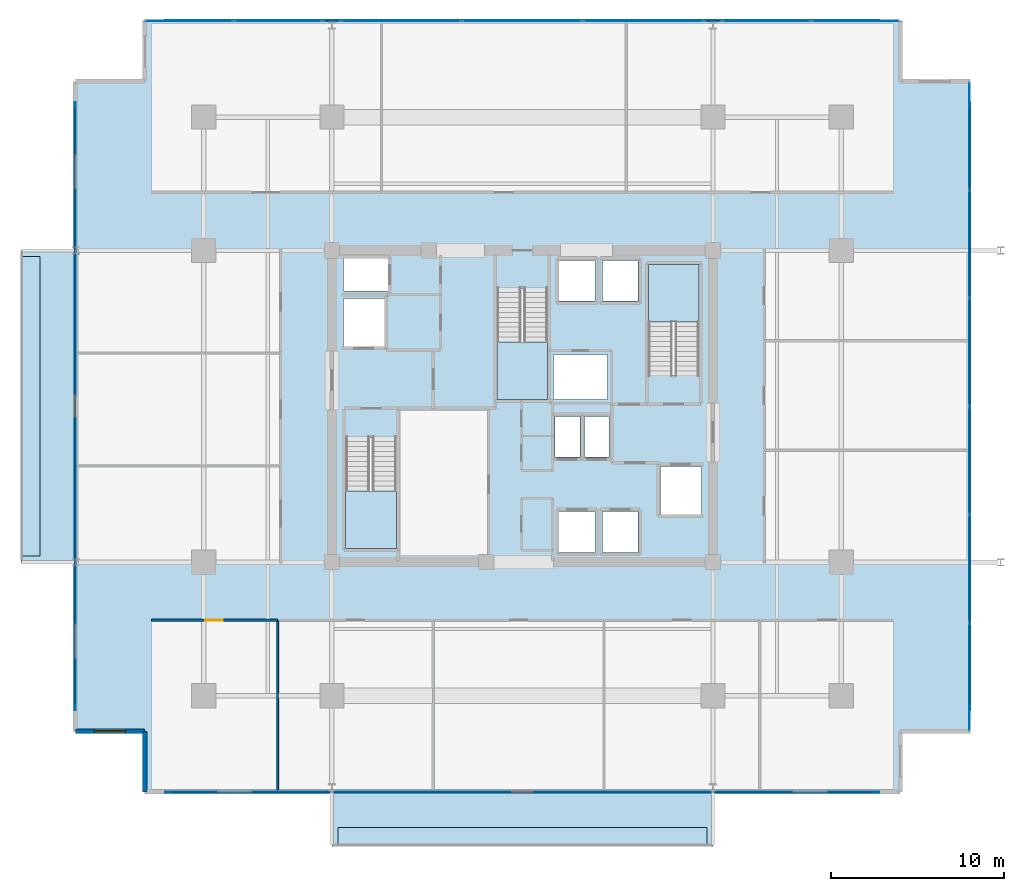
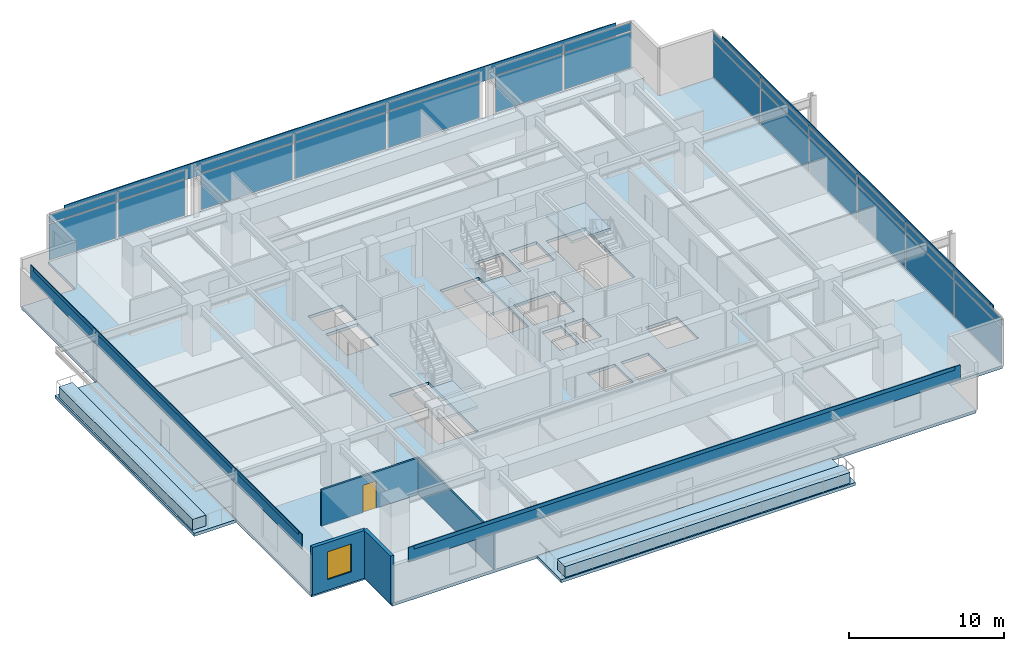
# One storey, part 13 of 22: 34 plates, 8 slabs, 4 walls, 1 door, 1 window, 2 openings, 7 elements without a shape of their own.
"""IFC4 building model written with IfcOpenShell, lengths in metres."""

from ifc_helpers import new_model, si_unit, direction, frame, frame_2d, origin, origin_2d, place, context, subcontext, project, spatial, polyline, rectangle, outline, extrude, material, layer, layer_set, type_object, element, fill, aggregate, save


model = new_model("IFC4")

# Units and contexts
model_context = context("Model", 3, precision=1e-05, world=origin(), true_north=direction((0.0, 1.0)))
body_context = subcontext(model_context, "Body", "Model", "MODEL_VIEW")
ifc_project = project(units=[si_unit("LENGTHUNIT", "METRE"), si_unit("AREAUNIT", "SQUARE_METRE"), si_unit("VOLUMEUNIT", "CUBIC_METRE"), si_unit("PLANEANGLEUNIT", "RADIAN"), si_unit("MASSUNIT", "GRAM", prefix="KILO")], contexts=[model_context])

# Site, building, storey
site_placement = place(None, origin())
site = spatial("IfcSite", under=ifc_project, at=site_placement, CompositionType="ELEMENT")
building_placement = place(site_placement, origin())
building = spatial("IfcBuilding", under=site, at=building_placement, Name="Kovane Verandah Tower", CompositionType="ELEMENT")
storey_placement = place(building_placement, frame((0.0, 0.0, 225.199951171875)))
storey = spatial("IfcBuildingStorey", under=building, at=storey_placement, Name="L52", CompositionType="ELEMENT", Elevation=225.199951171875)

# Curtain wall, plates
ifc_material_1 = material(Name="Champagne Anodised Aluminium Frame with Low-E Clear Laminated Glass", Category="aluminium")
curtain_wall_type = type_object("IfcCurtainWallType", Name="CW-SYS-03-MID", PredefinedType="NOTDEFINED", material=ifc_material_1)
curtain_wall_1_placement = place(storey_placement, origin())
curtain_wall_1 = element("IfcCurtainWall", 1, at=curtain_wall_1_placement, inside=storey, type_object=curtain_wall_type, Name="L52 E Unitised Curtain Wall", PredefinedType="NOTDEFINED")
ifc_material_2 = material(Name="Pale Champagne Anodised Aluminium Insulated Spandrel", Category="aluminium")
ifc_layer_1 = layer(ifc_material_2, 0.0400390625)
ifc_layer_set_1 = layer_set([ifc_layer_1], Name="Pale Champagne Anodised Aluminium Insulated Spandrel")
plate_type_1 = type_object("IfcPlateType", Name="PL-CW-SPD-40", PredefinedType="SHEET", material=ifc_layer_set_1)
plate_1_placement = place(storey_placement, frame((65.809814453125, 11.869873046875, 3.044921875), z_axis=(0.0, 0.0, 1.0), x_axis=(0.0, 1.0, 0.0)))
plate_1 = element("IfcPlate", 2, at=plate_1_placement, type_object=plate_type_1, Name="L52 E Unitised Curtain Wall Spandrel Panel 1", PredefinedType="SHEET", context=body_context, shape_type="SweptSolid", body=[
    extrude(rectangle(XDim=6.112060546875, YDim=0.0400390625, at=origin_2d()), origin(), (0.0, 0.0, 1.0), 0.639892578125),
])
plate_2_placement = place(storey_placement, frame((65.809814453125, 18.121826171875, 3.044921875), z_axis=(0.0, 0.0, 1.0), x_axis=(0.0, 1.0, 0.0)))
plate_2 = element("IfcPlate", 3, at=plate_2_placement, type_object=plate_type_1, Name="L52 E Unitised Curtain Wall Spandrel Panel 2", PredefinedType="SHEET", context=body_context, shape_type="SweptSolid", body=[
    extrude(rectangle(XDim=6.112060546875, YDim=0.0400390625, at=origin_2d()), origin(), (0.0, 0.0, 1.0), 0.639892578125),
])
plate_3_placement = place(storey_placement, frame((65.809814453125, 24.3740234375, 3.044921875), z_axis=(0.0, 0.0, 1.0), x_axis=(0.0, 1.0, 0.0)))
plate_3 = element("IfcPlate", 4, at=plate_3_placement, type_object=plate_type_1, Name="L52 E Unitised Curtain Wall Spandrel Panel 3", PredefinedType="SHEET", context=body_context, shape_type="SweptSolid", body=[
    extrude(rectangle(XDim=6.112060546875, YDim=0.0400390625, at=origin_2d()), origin(), (0.0, 0.0, 1.0), 0.639892578125),
])
plate_4_placement = place(storey_placement, frame((65.809814453125, 30.626220703125, 3.044921875), z_axis=(0.0, 0.0, 1.0), x_axis=(0.0, 1.0, 0.0)))
plate_4 = element("IfcPlate", 5, at=plate_4_placement, type_object=plate_type_1, Name="L52 E Unitised Curtain Wall Spandrel Panel 4", PredefinedType="SHEET", context=body_context, shape_type="SweptSolid", body=[
    extrude(rectangle(XDim=6.112060546875, YDim=0.0400390625, at=origin_2d()), origin(), (0.0, 0.0, 1.0), 0.639892578125),
])
plate_5_placement = place(storey_placement, frame((65.809814453125, 36.878173828125, 3.044921875), z_axis=(0.0, 0.0, 1.0), x_axis=(0.0, 1.0, 0.0)))
plate_5 = element("IfcPlate", 6, at=plate_5_placement, type_object=plate_type_1, Name="L52 E Unitised Curtain Wall Spandrel Panel 5", PredefinedType="SHEET", context=body_context, shape_type="SweptSolid", body=[
    extrude(rectangle(XDim=6.112060546875, YDim=0.0400390625, at=origin_2d()), origin(), (0.0, 0.0, 1.0), 0.639892578125),
])
plate_6_placement = place(storey_placement, frame((65.809814453125, 43.13037109375, 3.044921875), z_axis=(0.0, 0.0, 1.0), x_axis=(0.0, 1.0, 0.0)))
plate_6 = element("IfcPlate", 7, at=plate_6_placement, type_object=plate_type_1, Name="L52 E Unitised Curtain Wall Spandrel Panel 6", PredefinedType="SHEET", context=body_context, shape_type="SweptSolid", body=[
    extrude(rectangle(XDim=6.112060546875, YDim=0.0400390625, at=origin_2d()), origin(), (0.0, 0.0, 1.0), 0.639892578125),
])

curtain_wall_2_placement = place(storey_placement, origin())
curtain_wall_2 = element("IfcCurtainWall", 8, at=curtain_wall_2_placement, inside=storey, type_object=curtain_wall_type, Name="L52 N Unitised Curtain Wall-1", PredefinedType="NOTDEFINED")
plate_7_placement = place(storey_placement, frame((59.2373046875, 49.75634765625, 3.044921875), z_axis=(0.0, 0.0, 1.0), x_axis=(-1.0, 0.0, 0.0)))
plate_7 = element("IfcPlate", 9, at=plate_7_placement, type_object=plate_type_1, Name="L52 N Unitised Curtain Wall-1 Spandrel Panel 1", PredefinedType="SHEET", context=body_context, shape_type="SweptSolid", body=[
    extrude(rectangle(XDim=5.0048828125, YDim=0.0400390625, at=origin_2d()), origin(), (0.0, 0.0, 1.0), 0.639892578125),
])
plate_8_placement = place(storey_placement, frame((54.09228515625, 49.75634765625, 3.044921875), z_axis=(0.0, 0.0, 1.0), x_axis=(-1.0, 0.0, 0.0)))
plate_8 = element("IfcPlate", 10, at=plate_8_placement, type_object=plate_type_1, Name="L52 N Unitised Curtain Wall-1 Spandrel Panel 2", PredefinedType="SHEET", context=body_context, shape_type="SweptSolid", body=[
    extrude(rectangle(XDim=5.0048828125, YDim=0.0400390625, at=origin_2d()), origin(), (0.0, 0.0, 1.0), 0.639892578125),
])

curtain_wall_3_placement = place(storey_placement, origin())
curtain_wall_3 = element("IfcCurtainWall", 11, at=curtain_wall_3_placement, inside=storey, type_object=curtain_wall_type, Name="L52 N Unitised Curtain Wall-2", PredefinedType="NOTDEFINED")
plate_9_placement = place(storey_placement, frame((46.98681640625, 49.75634765625, 3.044921875), z_axis=(0.0, 0.0, 1.0), x_axis=(-1.0, 0.0, 0.0)))
plate_9 = element("IfcPlate", 12, at=plate_9_placement, type_object=plate_type_1, Name="L52 N Unitised Curtain Wall-2 Spandrel Panel 1", PredefinedType="SHEET", context=body_context, shape_type="SweptSolid", body=[
    extrude(rectangle(XDim=6.8466796875, YDim=0.0400390625, at=origin_2d()), origin(), (0.0, 0.0, 1.0), 0.639892578125),
])
plate_10_placement = place(storey_placement, frame((40.0, 49.75634765625, 3.044921875), z_axis=(0.0, 0.0, 1.0), x_axis=(-1.0, 0.0, 0.0)))
plate_10 = element("IfcPlate", 13, at=plate_10_placement, type_object=plate_type_1, Name="L52 N Unitised Curtain Wall-2 Spandrel Panel 2", PredefinedType="SHEET", context=body_context, shape_type="SweptSolid", body=[
    extrude(rectangle(XDim=6.8466796875, YDim=0.0400390625, at=origin_2d()), origin(), (0.0, 0.0, 1.0), 0.639892578125),
])
plate_11_placement = place(storey_placement, frame((33.01318359375, 49.75634765625, 3.044921875), z_axis=(0.0, 0.0, 1.0), x_axis=(-1.0, 0.0, 0.0)))
plate_11 = element("IfcPlate", 14, at=plate_11_placement, type_object=plate_type_1, Name="L52 N Unitised Curtain Wall-2 Spandrel Panel 3", PredefinedType="SHEET", context=body_context, shape_type="SweptSolid", body=[
    extrude(rectangle(XDim=6.8466796875, YDim=0.0400390625, at=origin_2d()), origin(), (0.0, 0.0, 1.0), 0.639892578125),
])

curtain_wall_4_placement = place(storey_placement, origin())
curtain_wall_4 = element("IfcCurtainWall", 15, at=curtain_wall_4_placement, inside=storey, type_object=curtain_wall_type, Name="L52 N Unitised Curtain Wall-3", PredefinedType="NOTDEFINED")
plate_12_placement = place(storey_placement, frame((25.90771484375, 49.75634765625, 3.044921875), z_axis=(0.0, 0.0, 1.0), x_axis=(-1.0, 0.0, 0.0)))
plate_12 = element("IfcPlate", 16, at=plate_12_placement, type_object=plate_type_1, Name="L52 N Unitised Curtain Wall-3 Spandrel Panel 1", PredefinedType="SHEET", context=body_context, shape_type="SweptSolid", body=[
    extrude(rectangle(XDim=5.0048828125, YDim=0.0400390625, at=origin_2d()), origin(), (0.0, 0.0, 1.0), 0.639892578125),
])
plate_13_placement = place(storey_placement, frame((20.7626953125, 49.75634765625, 3.044921875), z_axis=(0.0, 0.0, 1.0), x_axis=(-1.0, 0.0, 0.0)))
plate_13 = element("IfcPlate", 17, at=plate_13_placement, type_object=plate_type_1, Name="L52 N Unitised Curtain Wall-3 Spandrel Panel 2", PredefinedType="SHEET", context=body_context, shape_type="SweptSolid", body=[
    extrude(rectangle(XDim=5.0048828125, YDim=0.0400390625, at=origin_2d()), origin(), (0.0, 0.0, 1.0), 0.639892578125),
])

# Plate
ifc_material_3 = material(Name="Clear Low-E Laminated Double Glazing", Category="glass")
ifc_layer_2 = layer(ifc_material_3, 0.031982421875)
ifc_layer_set_2 = layer_set([ifc_layer_2], Name="Clear Low-E Laminated Double Glazing")
plate_type_2 = type_object("IfcPlateType", Name="PL-CW-VIS-32", PredefinedType="CURTAIN_PANEL", material=ifc_layer_set_2)
plate_14_placement = place(storey_placement, frame((65.809814453125, 11.869873046875, 0.10009765625), z_axis=(0.0, 0.0, 1.0), x_axis=(0.0, 1.0, 0.0)))
plate_14 = element("IfcPlate", 18, at=plate_14_placement, type_object=plate_type_2, Name="L52 E Unitised Curtain Wall Vision Panel 1", PredefinedType="CURTAIN_PANEL", context=body_context, shape_type="SweptSolid", body=[
    extrude(rectangle(XDim=6.112060546875, YDim=0.031982421875, at=origin_2d()), origin(), (0.0, 0.0, 1.0), 2.844970703125),
])

plate_15_placement = place(storey_placement, frame((65.809814453125, 18.121826171875, 0.10009765625), z_axis=(0.0, 0.0, 1.0), x_axis=(0.0, 1.0, 0.0)))
plate_15 = element("IfcPlate", 19, at=plate_15_placement, type_object=plate_type_2, Name="L52 E Unitised Curtain Wall Vision Panel 2", PredefinedType="CURTAIN_PANEL", context=body_context, shape_type="SweptSolid", body=[
    extrude(rectangle(XDim=6.112060546875, YDim=0.031982421875, at=origin_2d()), origin(), (0.0, 0.0, 1.0), 2.844970703125),
])

plate_16_placement = place(storey_placement, frame((65.809814453125, 24.3740234375, 0.10009765625), z_axis=(0.0, 0.0, 1.0), x_axis=(0.0, 1.0, 0.0)))
plate_16 = element("IfcPlate", 20, at=plate_16_placement, type_object=plate_type_2, Name="L52 E Unitised Curtain Wall Vision Panel 3", PredefinedType="CURTAIN_PANEL", context=body_context, shape_type="SweptSolid", body=[
    extrude(rectangle(XDim=6.112060546875, YDim=0.031982421875, at=origin_2d()), origin(), (0.0, 0.0, 1.0), 2.844970703125),
])

plate_17_placement = place(storey_placement, frame((65.809814453125, 30.626220703125, 0.10009765625), z_axis=(0.0, 0.0, 1.0), x_axis=(0.0, 1.0, 0.0)))
plate_17 = element("IfcPlate", 21, at=plate_17_placement, type_object=plate_type_2, Name="L52 E Unitised Curtain Wall Vision Panel 4", PredefinedType="CURTAIN_PANEL", context=body_context, shape_type="SweptSolid", body=[
    extrude(rectangle(XDim=6.112060546875, YDim=0.031982421875, at=origin_2d()), origin(), (0.0, 0.0, 1.0), 2.844970703125),
])

plate_18_placement = place(storey_placement, frame((65.809814453125, 36.878173828125, 0.10009765625), z_axis=(0.0, 0.0, 1.0), x_axis=(0.0, 1.0, 0.0)))
plate_18 = element("IfcPlate", 22, at=plate_18_placement, type_object=plate_type_2, Name="L52 E Unitised Curtain Wall Vision Panel 5", PredefinedType="CURTAIN_PANEL", context=body_context, shape_type="SweptSolid", body=[
    extrude(rectangle(XDim=6.112060546875, YDim=0.031982421875, at=origin_2d()), origin(), (0.0, 0.0, 1.0), 2.844970703125),
])

plate_19_placement = place(storey_placement, frame((65.809814453125, 43.13037109375, 0.10009765625), z_axis=(0.0, 0.0, 1.0), x_axis=(0.0, 1.0, 0.0)))
plate_19 = element("IfcPlate", 23, at=plate_19_placement, type_object=plate_type_2, Name="L52 E Unitised Curtain Wall Vision Panel 6", PredefinedType="CURTAIN_PANEL", context=body_context, shape_type="SweptSolid", body=[
    extrude(rectangle(XDim=6.112060546875, YDim=0.031982421875, at=origin_2d()), origin(), (0.0, 0.0, 1.0), 2.844970703125),
])

aggregate(curtain_wall_1, [plate_14, plate_1, plate_15, plate_2, plate_16, plate_3, plate_17, plate_4, plate_18, plate_5, plate_19, plate_6])

plate_20_placement = place(storey_placement, frame((59.2373046875, 49.75634765625, 0.10009765625), z_axis=(0.0, 0.0, 1.0), x_axis=(-1.0, 0.0, 0.0)))
plate_20 = element("IfcPlate", 24, at=plate_20_placement, type_object=plate_type_2, Name="L52 N Unitised Curtain Wall-1 Vision Panel 1", PredefinedType="CURTAIN_PANEL", context=body_context, shape_type="SweptSolid", body=[
    extrude(rectangle(XDim=5.0048828125, YDim=0.031982421875, at=origin_2d()), origin(), (0.0, 0.0, 1.0), 2.844970703125),
])

plate_21_placement = place(storey_placement, frame((54.09228515625, 49.75634765625, 0.10009765625), z_axis=(0.0, 0.0, 1.0), x_axis=(-1.0, 0.0, 0.0)))
plate_21 = element("IfcPlate", 25, at=plate_21_placement, type_object=plate_type_2, Name="L52 N Unitised Curtain Wall-1 Vision Panel 2", PredefinedType="CURTAIN_PANEL", context=body_context, shape_type="SweptSolid", body=[
    extrude(rectangle(XDim=5.0048828125, YDim=0.031982421875, at=origin_2d()), origin(), (0.0, 0.0, 1.0), 2.844970703125),
])

aggregate(curtain_wall_2, [plate_20, plate_7, plate_21, plate_8])

plate_22_placement = place(storey_placement, frame((46.98681640625, 49.75634765625, 0.10009765625), z_axis=(0.0, 0.0, 1.0), x_axis=(-1.0, 0.0, 0.0)))
plate_22 = element("IfcPlate", 26, at=plate_22_placement, type_object=plate_type_2, Name="L52 N Unitised Curtain Wall-2 Vision Panel 1", PredefinedType="CURTAIN_PANEL", context=body_context, shape_type="SweptSolid", body=[
    extrude(rectangle(XDim=6.8466796875, YDim=0.031982421875, at=origin_2d()), origin(), (0.0, 0.0, 1.0), 2.844970703125),
])

plate_23_placement = place(storey_placement, frame((40.0, 49.75634765625, 0.10009765625), z_axis=(0.0, 0.0, 1.0), x_axis=(-1.0, 0.0, 0.0)))
plate_23 = element("IfcPlate", 27, at=plate_23_placement, type_object=plate_type_2, Name="L52 N Unitised Curtain Wall-2 Vision Panel 2", PredefinedType="CURTAIN_PANEL", context=body_context, shape_type="SweptSolid", body=[
    extrude(rectangle(XDim=6.8466796875, YDim=0.031982421875, at=origin_2d()), origin(), (0.0, 0.0, 1.0), 2.844970703125),
])

plate_24_placement = place(storey_placement, frame((33.01318359375, 49.75634765625, 0.10009765625), z_axis=(0.0, 0.0, 1.0), x_axis=(-1.0, 0.0, 0.0)))
plate_24 = element("IfcPlate", 28, at=plate_24_placement, type_object=plate_type_2, Name="L52 N Unitised Curtain Wall-2 Vision Panel 3", PredefinedType="CURTAIN_PANEL", context=body_context, shape_type="SweptSolid", body=[
    extrude(rectangle(XDim=6.8466796875, YDim=0.031982421875, at=origin_2d()), origin(), (0.0, 0.0, 1.0), 2.844970703125),
])

aggregate(curtain_wall_3, [plate_22, plate_9, plate_23, plate_10, plate_24, plate_11])

plate_25_placement = place(storey_placement, frame((25.90771484375, 49.75634765625, 0.10009765625), z_axis=(0.0, 0.0, 1.0), x_axis=(-1.0, 0.0, 0.0)))
plate_25 = element("IfcPlate", 29, at=plate_25_placement, type_object=plate_type_2, Name="L52 N Unitised Curtain Wall-3 Vision Panel 1", PredefinedType="CURTAIN_PANEL", context=body_context, shape_type="SweptSolid", body=[
    extrude(rectangle(XDim=5.0048828125, YDim=0.031982421875, at=origin_2d()), origin(), (0.0, 0.0, 1.0), 2.844970703125),
])

plate_26_placement = place(storey_placement, frame((20.7626953125, 49.75634765625, 0.10009765625), z_axis=(0.0, 0.0, 1.0), x_axis=(-1.0, 0.0, 0.0)))
plate_26 = element("IfcPlate", 30, at=plate_26_placement, type_object=plate_type_2, Name="L52 N Unitised Curtain Wall-3 Vision Panel 2", PredefinedType="CURTAIN_PANEL", context=body_context, shape_type="SweptSolid", body=[
    extrude(rectangle(XDim=5.0048828125, YDim=0.031982421875, at=origin_2d()), origin(), (0.0, 0.0, 1.0), 2.844970703125),
])

aggregate(curtain_wall_4, [plate_25, plate_12, plate_26, plate_13])

# Plates
ifc_material_4 = material(Name="Perforated Pale Champagne Anodised Aluminium Solar Screen", Category="aluminium")
ifc_layer_3 = layer(ifc_material_4, 0.050048828125)
ifc_layer_set_3 = layer_set([ifc_layer_3], Name="Perforated Pale Champagne Anodised Aluminium Solar Screen")
plate_type_3 = type_object("IfcPlateType", Name="PL-SCREEN-50", PredefinedType="USERDEFINED", material=ifc_layer_set_3)
plate_27_placement = place(storey_placement, frame((40.0, 5.228759765625, 2.875), z_axis=(0.0, 0.0, 1.0), x_axis=(1.0, 0.0, 0.0)))
element("IfcPlate", 31, at=plate_27_placement, inside=storey, type_object=plate_type_3, Name="L52 S Perforated Champagne-Gold Solar Screen", ObjectType="SCREEN", PredefinedType="USERDEFINED", context=body_context, shape_type="SweptSolid", body=[
    extrude(rectangle(XDim=41.218994140625, YDim=0.050048828125, at=origin_2d()), origin(), (0.0, 0.0, 1.0), 1.14990234375),
])
plate_28_placement = place(storey_placement, frame((65.82470703125, 27.5, 2.875), z_axis=(0.0, 0.0, 1.0), x_axis=(0.0, 1.0, 0.0)))
element("IfcPlate", 32, at=plate_28_placement, inside=storey, type_object=plate_type_3, Name="L52 E Perforated Champagne-Gold Solar Screen", ObjectType="SCREEN", PredefinedType="USERDEFINED", context=body_context, shape_type="SweptSolid", body=[
    extrude(rectangle(XDim=35.113037109375, YDim=0.050048828125, at=origin_2d()), origin(), (0.0, 0.0, 1.0), 1.14990234375),
])
plate_29_placement = place(storey_placement, frame((40.0, 49.771240234375, 2.875), z_axis=(0.0, 0.0, 1.0), x_axis=(-1.0, 0.0, 0.0)))
element("IfcPlate", 33, at=plate_29_placement, inside=storey, type_object=plate_type_3, Name="L52 N Perforated Champagne-Gold Solar Screen", ObjectType="SCREEN", PredefinedType="USERDEFINED", context=body_context, shape_type="SweptSolid", body=[
    extrude(rectangle(XDim=41.218994140625, YDim=0.050048828125, at=origin_2d()), origin(), (0.0, 0.0, 1.0), 1.14990234375),
])
plate_30_placement = place(storey_placement, frame((14.17529296875, 27.5, 2.875), z_axis=(0.0, 0.0, 1.0), x_axis=(0.0, -1.0, 0.0)))
element("IfcPlate", 34, at=plate_30_placement, inside=storey, type_object=plate_type_3, Name="L52 W Perforated Champagne-Gold Solar Screen", ObjectType="SCREEN", PredefinedType="USERDEFINED", context=body_context, shape_type="SweptSolid", body=[
    extrude(rectangle(XDim=35.113037109375, YDim=0.050048828125, at=origin_2d()), origin(), (0.0, 0.0, 1.0), 1.14990234375),
])
ifc_material_5 = material(Name="Extruded Pale-Bronze Aluminium Aerofoil Sunshade", Category="aluminium")
ifc_layer_4 = layer(ifc_material_5, 0.06005859375)
ifc_layer_set_4 = layer_set([ifc_layer_4], Name="Extruded Pale-Bronze Aluminium Aerofoil Sunshade")
plate_type_4 = type_object("IfcPlateType", Name="PL-SUNSHADE-60", PredefinedType="USERDEFINED", material=ifc_layer_set_4)
plate_31_placement = place(storey_placement, frame((40.0, 5.2236328125, 3.7548828125), z_axis=(0.0, 0.0, 1.0), x_axis=(1.0, 0.0, 0.0)))
element("IfcPlate", 35, at=plate_31_placement, inside=storey, type_object=plate_type_4, Name="L52 S Subtropical Aerofoil Sunshade", ObjectType="SUNSHADE", PredefinedType="USERDEFINED", context=body_context, shape_type="SweptSolid", body=[
    extrude(rectangle(XDim=40.4189453125, YDim=0.06005859375, at=origin_2d()), origin(), (0.0, 0.0, 1.0), 0.280029296875),
])
plate_32_placement = place(storey_placement, frame((65.82958984375, 27.5, 3.7548828125), z_axis=(0.0, 0.0, 1.0), x_axis=(0.0, 1.0, 0.0)))
element("IfcPlate", 36, at=plate_32_placement, inside=storey, type_object=plate_type_4, Name="L52 E Subtropical Aerofoil Sunshade", ObjectType="SUNSHADE", PredefinedType="USERDEFINED", context=body_context, shape_type="SweptSolid", body=[
    extrude(rectangle(XDim=34.31298828125, YDim=0.06005859375, at=origin_2d()), origin(), (0.0, 0.0, 1.0), 0.280029296875),
])
plate_33_placement = place(storey_placement, frame((40.0, 49.7763671875, 3.7548828125), z_axis=(0.0, 0.0, 1.0), x_axis=(-1.0, 0.0, 0.0)))
element("IfcPlate", 37, at=plate_33_placement, inside=storey, type_object=plate_type_4, Name="L52 N Subtropical Aerofoil Sunshade", ObjectType="SUNSHADE", PredefinedType="USERDEFINED", context=body_context, shape_type="SweptSolid", body=[
    extrude(rectangle(XDim=40.4189453125, YDim=0.06005859375, at=origin_2d()), origin(), (0.0, 0.0, 1.0), 0.280029296875),
])
plate_34_placement = place(storey_placement, frame((14.17041015625, 27.5, 3.7548828125), z_axis=(0.0, 0.0, 1.0), x_axis=(0.0, -1.0, 0.0)))
element("IfcPlate", 38, at=plate_34_placement, inside=storey, type_object=plate_type_4, Name="L52 W Subtropical Aerofoil Sunshade", ObjectType="SUNSHADE", PredefinedType="USERDEFINED", context=body_context, shape_type="SweptSolid", body=[
    extrude(rectangle(XDim=34.31298828125, YDim=0.06005859375, at=origin_2d()), origin(), (0.0, 0.0, 1.0), 0.280029296875),
])

# Slabs
ifc_material_6 = material(Name="Concrete C45/55", Category="concrete")
ifc_layer_5 = layer(ifc_material_6, 0.239990234375)
ifc_layer_set_5 = layer_set([ifc_layer_5], Name="Concrete C45/55")
slab_type_1 = type_object("IfcSlabType", Name="SL-BALC-240", PredefinedType="FLOOR", material=ifc_layer_set_5)
slab_1_placement = place(storey_placement, frame((0.0, 0.0, -0.239990234375)))
element("IfcSlab", 39, at=slab_1_placement, inside=storey, type_object=slab_type_1, Name="L52 S Planted Verandah Balcony Slab", PredefinedType="FLOOR", context=body_context, shape_type="SweptSolid", body=[
    extrude(outline(polyline([(29.0, 2.09375), (51.0, 2.09375), (51.0, 5.24365234375), (29.0, 5.24365234375), (29.0, 2.09375)])), origin(), (0.0, 0.0, 1.0), 0.239990234375),
])
slab_2_placement = place(storey_placement, frame((0.0, 0.0, -0.239990234375)))
element("IfcSlab", 40, at=slab_2_placement, inside=storey, type_object=slab_type_1, Name="L52 W Planted Verandah Balcony Slab", PredefinedType="FLOOR", context=body_context, shape_type="SweptSolid", body=[
    extrude(outline(polyline([(11.040283203125, 18.5), (14.190185546875, 18.5), (14.190185546875, 36.5), (11.040283203125, 36.5), (11.040283203125, 18.5)])), origin(), (0.0, 0.0, 1.0), 0.239990234375),
])

# Stair, slab
stair_type = type_object("IfcStairType", Name="ST-CORE-1380", PredefinedType="HALF_TURN_STAIR", material=ifc_material_6)
stair_1_placement = place(storey_placement, origin())
stair_1 = element("IfcStair", 41, at=stair_1_placement, inside=storey, type_object=stair_type, Name="L52 Exit Stair ST-01", PredefinedType="HALF_TURN_STAIR")
ifc_layer_6 = layer(ifc_material_6, 0.199951171875)
ifc_layer_set_6 = layer_set([ifc_layer_6], Name="Concrete C45/55")
slab_type_2 = type_object("IfcSlabType", Name="SL-LAND-200", PredefinedType="LANDING", material=ifc_layer_set_6)
slab_3_placement = place(storey_placement, frame((0.0, 0.0, 1.800048828125)))
slab_3 = element("IfcSlab", 42, at=slab_3_placement, type_object=slab_type_2, Name="ST-01 landing 1", PredefinedType="LANDING", context=body_context, shape_type="SweptSolid", body=[
    extrude(outline(polyline([(29.800048828125, 22.614990234375), (29.800048828125, 19.300048828125), (32.719970703125, 19.300048828125), (32.719970703125, 22.614990234375), (29.800048828125, 22.614990234375)])), origin(), (0.0, 0.0, 1.0), 0.199951171875),
])
aggregate(stair_1, [slab_3])

stair_2_placement = place(storey_placement, origin())
stair_2 = element("IfcStair", 43, at=stair_2_placement, inside=storey, type_object=stair_type, Name="L52 Exit Stair ST-02", PredefinedType="HALF_TURN_STAIR")
slab_4_placement = place(storey_placement, frame((0.0, 0.0, 1.800048828125)))
slab_4 = element("IfcSlab", 44, at=slab_4_placement, type_object=slab_type_2, Name="ST-02 landing 1", PredefinedType="LANDING", context=body_context, shape_type="SweptSolid", body=[
    extrude(outline(polyline([(50.199951171875, 32.385009765625), (50.199951171875, 35.699951171875), (47.280029296875, 35.699951171875), (47.280029296875, 32.385009765625), (50.199951171875, 32.385009765625)])), origin(), (0.0, 0.0, 1.0), 0.199951171875),
])
aggregate(stair_2, [slab_4])

stair_3_placement = place(storey_placement, origin())
stair_3 = element("IfcStair", 45, at=stair_3_placement, inside=storey, type_object=stair_type, Name="L52 Exit Stair ST-03", PredefinedType="HALF_TURN_STAIR")
slab_5_placement = place(storey_placement, frame((0.0, 0.0, 1.800048828125)))
slab_5 = element("IfcSlab", 46, at=slab_5_placement, type_object=slab_type_2, Name="ST-03 landing 1", PredefinedType="LANDING", context=body_context, shape_type="SweptSolid", body=[
    extrude(outline(polyline([(38.5400390625, 31.215087890625), (38.5400390625, 27.89990234375), (41.4599609375, 27.89990234375), (41.4599609375, 31.215087890625), (38.5400390625, 31.215087890625)])), origin(), (0.0, 0.0, 1.0), 0.199951171875),
])
aggregate(stair_3, [slab_5])

# Slabs
ifc_layer_7 = layer(ifc_material_6, 0.22509765625)
ifc_layer_set_7 = layer_set([ifc_layer_7], Name="Concrete C45/55")
slab_type_3 = type_object("IfcSlabType", Name="SL-MID-225", PredefinedType="FLOOR", material=ifc_layer_set_7)
slab_6_placement = place(storey_placement, frame((0.0, 0.0, -0.224853515625)))
element("IfcSlab", 47, at=slab_6_placement, inside=storey, type_object=slab_type_3, Name="L52 Structural Floor Slab", PredefinedType="FLOOR", context=body_context, shape_type="SweptSolid", body=[
    extrude(outline(polyline([(18.190185546875, 5.24365234375), (61.809814453125, 5.24365234375), (61.809814453125, 8.74365234375), (65.809814453125, 8.74365234375), (65.809814453125, 46.25634765625), (61.809814453125, 46.25634765625), (61.809814453125, 49.75634765625), (18.190185546875, 49.75634765625), (18.190185546875, 46.25634765625), (14.190185546875, 46.25634765625), (14.190185546875, 8.74365234375), (18.190185546875, 8.74365234375), (18.190185546875, 5.24365234375)]), holes=[polyline([(29.800048828125, 19.300048828125), (32.719970703125, 19.300048828125), (32.719970703125, 25.705078125), (29.800048828125, 25.705078125), (29.800048828125, 19.300048828125)]), polyline([(47.280029296875, 29.294921875), (50.199951171875, 29.294921875), (50.199951171875, 35.699951171875), (47.280029296875, 35.699951171875), (47.280029296875, 29.294921875)]), polyline([(38.5400390625, 27.89990234375), (41.4599609375, 27.89990234375), (41.4599609375, 34.304931640625), (38.5400390625, 34.304931640625), (38.5400390625, 27.89990234375)]), polyline([(29.669921875, 30.969970703125), (32.030029296875, 30.969970703125), (32.030029296875, 33.72998046875), (29.669921875, 33.72998046875), (29.669921875, 30.969970703125)]), polyline([(47.969970703125, 21.27001953125), (50.330078125, 21.27001953125), (50.330078125, 24.030029296875), (47.969970703125, 24.030029296875), (47.969970703125, 21.27001953125)]), polyline([(29.669921875, 34.169921875), (32.22998046875, 34.169921875), (32.22998046875, 36.030029296875), (29.669921875, 36.030029296875), (29.669921875, 34.169921875)]), polyline([(42.1201171875, 19.070068359375), (44.179931640625, 19.070068359375), (44.179931640625, 21.429931640625), (42.1201171875, 21.429931640625), (42.1201171875, 19.070068359375)]), polyline([(44.6201171875, 19.070068359375), (46.679931640625, 19.070068359375), (46.679931640625, 21.429931640625), (44.6201171875, 21.429931640625), (44.6201171875, 19.070068359375)]), polyline([(41.8798828125, 24.570068359375), (43.320068359375, 24.570068359375), (43.320068359375, 26.929931640625), (41.8798828125, 26.929931640625), (41.8798828125, 24.570068359375)]), polyline([(43.580078125, 24.570068359375), (45.0, 24.570068359375), (45.0, 26.929931640625), (43.580078125, 26.929931640625), (43.580078125, 24.570068359375)]), polyline([(42.1201171875, 33.570068359375), (44.179931640625, 33.570068359375), (44.179931640625, 35.929931640625), (42.1201171875, 35.929931640625), (42.1201171875, 33.570068359375)]), polyline([(44.6201171875, 33.570068359375), (46.679931640625, 33.570068359375), (46.679931640625, 35.929931640625), (44.6201171875, 35.929931640625), (44.6201171875, 33.570068359375)]), polyline([(41.800048828125, 27.89990234375), (44.89990234375, 27.89990234375), (44.89990234375, 30.5), (41.800048828125, 30.5), (41.800048828125, 27.89990234375)])]), origin(), (0.0, 0.0, 1.0), 0.224853515625),
])
ifc_material_7 = material(Name="Architectural Precast Concrete C45/55 Planter Trough", Category="concrete")
ifc_layer_8 = layer(ifc_material_7, 0.219970703125)
ifc_layer_set_8 = layer_set([ifc_layer_8], Name="Architectural Precast Concrete C45/55 Planter Trough")
slab_type_4 = type_object("IfcSlabType", Name="SL-PLANTER-220", PredefinedType="USERDEFINED", material=ifc_layer_set_8)
slab_7_placement = place(storey_placement, origin())
element("IfcSlab", 48, at=slab_7_placement, inside=storey, type_object=slab_type_4, Name="L52 S Structural Tree Planter", ObjectType="PLANTER", PredefinedType="USERDEFINED", context=body_context, shape_type="SweptSolid", body=[
    extrude(outline(polyline([(29.35009765625, 2.193603515625), (50.64990234375, 2.193603515625), (50.64990234375, 3.193603515625), (29.35009765625, 3.193603515625), (29.35009765625, 2.193603515625)])), origin(), (0.0, 0.0, 1.0), 0.85009765625),
])
slab_8_placement = place(storey_placement, origin())
element("IfcSlab", 49, at=slab_8_placement, inside=storey, type_object=slab_type_4, Name="L52 W Structural Tree Planter", ObjectType="PLANTER", PredefinedType="USERDEFINED", context=body_context, shape_type="SweptSolid", body=[
    extrude(outline(polyline([(11.140380859375, 18.85009765625), (12.140380859375, 18.85009765625), (12.140380859375, 36.14990234375), (11.140380859375, 36.14990234375), (11.140380859375, 18.85009765625)])), origin(), (0.0, 0.0, 1.0), 0.85009765625),
])

# Wall, opening, door
ifc_material_8 = material(Name="Fire-Rated Gypsum Stud Partition", Category="gypsum")
ifc_layer_9 = layer(ifc_material_8, 0.14990234375)
ifc_layer_set_9 = layer_set([ifc_layer_9], Name="Fire-Rated Gypsum Stud Partition")
wall_type_1 = type_object("IfcWallType", Name="WL-COR-150", PredefinedType="PARTITIONING", material=ifc_layer_set_9)
wall_1_placement = place(storey_placement, frame((18.59033203125, 15.14990234375, 0.0), z_axis=(0.0, 0.0, 1.0), x_axis=(1.0, 0.0, 0.0)))
wall_1 = element("IfcWall", 50, at=wall_1_placement, inside=storey, type_object=wall_type_1, Name="L52 Breakout Pantry S1 Corridor Partition", PredefinedType="PARTITIONING", context=body_context, shape_type="SweptSolid", body=[
    extrude(rectangle(XDim=7.279296875, YDim=0.14990234375, at=frame_2d((3.6396484375, 0.0))), origin(), (0.0, 0.0, 1.0), 2.85009765625),
])
opening_1_placement = place(wall_1_placement, frame((3.1044921875, 0.0, 0.0)))
opening_1 = element("IfcOpeningElement", 51, at=opening_1_placement, cuts=wall_1, Name="Opening DR-L52-020", PredefinedType="OPENING", context=body_context, shape_type="SweptSolid", body=[
    extrude(rectangle(XDim=1.0, YDim=2.14990234375, at=frame_2d((0.5, 1.074951171875))), frame((0.0, 0.074951171875, 0.0), z_axis=(0.0, -1.0, 0.0), x_axis=(1.0, 0.0, 0.0)), (0.0, 0.0, 1.0), 0.14990234375),
])
ifc_material_9 = material(Name="FSC Spotted-Gum Timber Fire-Rated Office Door", Category="wood")
door_type = type_object("IfcDoorType", Name="DR-OFF-1000", OperationType="SINGLE_SWING_LEFT", PredefinedType="DOOR", material=ifc_material_9)
door_placement = place(opening_1_placement, origin())
door = element("IfcDoor", 52, at=door_placement, inside=storey, type_object=door_type, Name="L52 Breakout Pantry S1 Entrance Door", OperationType="SINGLE_SWING_RIGHT", OverallHeight=2.14990234375, OverallWidth=1.0, PredefinedType="DOOR", context=body_context, shape_type="SweptSolid", body=[
    extrude(rectangle(XDim=1.0, YDim=2.14990234375, at=frame_2d((0.5, 1.074951171875))), frame((0.0, 0.02490234375, 0.0), z_axis=(0.0, -1.0, 0.0), x_axis=(1.0, 0.0, 0.0)), (0.0, 0.0, 1.0), 0.050048828125),
])
fill(opening_1, door)

# Wall
ifc_material_10 = material(Name="Acoustic Fire-Rated Gypsum Partition", Category="gypsum")
ifc_layer_10 = layer(ifc_material_10, 0.1201171875)
ifc_layer_set_10 = layer_set([ifc_layer_10], Name="Acoustic Fire-Rated Gypsum Partition")
wall_type_2 = type_object("IfcWallType", Name="WL-PART-120", PredefinedType="PARTITIONING", material=ifc_layer_set_10)
wall_2_placement = place(storey_placement, frame((25.86962890625, 5.34375, 0.0), z_axis=(0.0, 0.0, 1.0), x_axis=(0.0, 1.0, 0.0)))
element("IfcWall", 53, at=wall_2_placement, inside=storey, type_object=wall_type_2, Name="L52 Breakout Pantry S1 Dividing Partition", PredefinedType="PARTITIONING", context=body_context, shape_type="SweptSolid", body=[
    extrude(rectangle(XDim=9.80615234375, YDim=0.1201171875, at=frame_2d((4.903076171875, 0.0))), origin(), (0.0, 0.0, 1.0), 2.85009765625),
])

# Wall, opening, window
ifc_material_11 = material(Name="Concrete C45/55 Insulated Spandrel Wall", Category="concrete")
ifc_layer_11 = layer(ifc_material_11, 0.260009765625)
ifc_layer_set_11 = layer_set([ifc_layer_11], Name="Concrete C45/55 Insulated Spandrel Wall")
wall_type_3 = type_object("IfcWallType", Name="WL-SPANDREL-260", PredefinedType="PARAPET", material=ifc_layer_set_11)
wall_3_placement = place(storey_placement, frame((14.190185546875, 8.74365234375, 0.0), z_axis=(0.0, 0.0, 1.0), x_axis=(1.0, 0.0, 0.0)))
wall_3 = element("IfcWall", 54, at=wall_3_placement, inside=storey, type_object=wall_type_3, Name="L52 SW Notch Cheek Wall 1", PredefinedType="PARAPET", context=body_context, shape_type="SweptSolid", body=[
    extrude(rectangle(XDim=4.0, YDim=0.260009765625, at=frame_2d((2.0, 0.0))), origin(), (0.0, 0.0, 1.0), 3.775146484375),
])
opening_2_placement = place(wall_3_placement, frame((1.10009765625, 0.0, 0.85009765625)))
opening_2 = element("IfcOpeningElement", 55, at=opening_2_placement, cuts=wall_3, Name="Opening W-03", PredefinedType="OPENING", context=body_context, shape_type="SweptSolid", body=[
    extrude(rectangle(XDim=1.800048828125, YDim=2.199951171875, at=frame_2d((0.89990234375, 1.10009765625))), frame((0.0, 0.1298828125, 0.0), z_axis=(0.0, -1.0, 0.0), x_axis=(1.0, 0.0, 0.0)), (0.0, 0.0, 1.0), 0.260009765625),
])
ifc_material_12 = material(Name="Clear Low-E Laminated Double Glazing in Anodised Frame", Category="glass")
window_type = type_object("IfcWindowType", Name="WN-NOTCH-1800x2200", PartitioningType="SINGLE_PANEL", PredefinedType="WINDOW", material=ifc_material_12)
window_placement = place(opening_2_placement, origin())
window = element("IfcWindow", 56, at=window_placement, inside=storey, type_object=window_type, Name="L52 SW Re-Entrant Corner Operable Window", OverallHeight=2.199951171875, OverallWidth=1.800048828125, PartitioningType="SINGLE_PANEL", PredefinedType="WINDOW", context=body_context, shape_type="SweptSolid", body=[
    extrude(rectangle(XDim=1.800048828125, YDim=2.199951171875, at=frame_2d((0.89990234375, 1.10009765625))), frame((0.0, 0.030029296875, 0.0), z_axis=(0.0, -1.0, 0.0), x_axis=(1.0, 0.0, 0.0)), (0.0, 0.0, 1.0), 0.06005859375),
])
fill(opening_2, window)

# Wall
wall_4_placement = place(storey_placement, frame((18.190185546875, 8.74365234375, 0.0), z_axis=(0.0, 0.0, 1.0), x_axis=(0.0, -1.0, 0.0)))
element("IfcWall", 57, at=wall_4_placement, inside=storey, type_object=wall_type_3, Name="L52 SW Notch Cheek Wall 2", PredefinedType="PARAPET", context=body_context, shape_type="SweptSolid", body=[
    extrude(rectangle(XDim=3.5, YDim=0.260009765625, at=frame_2d((1.75, 0.0))), origin(), (0.0, 0.0, 1.0), 3.775146484375),
])

save(model, "model.ifc")
